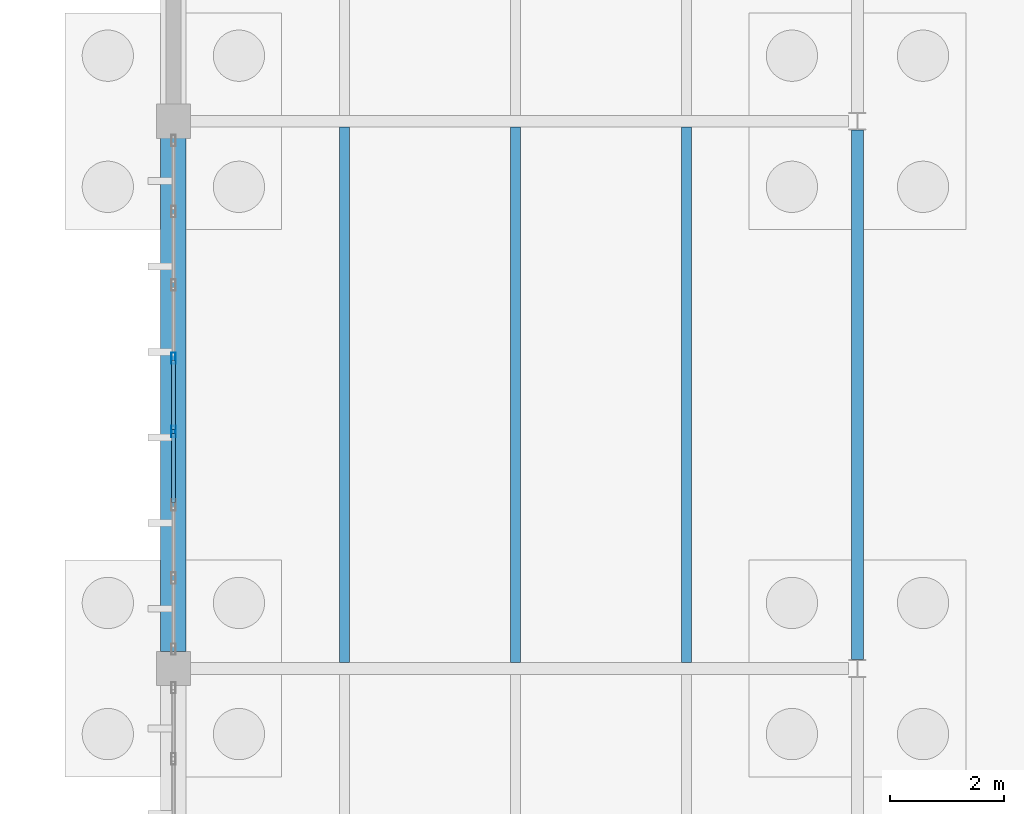
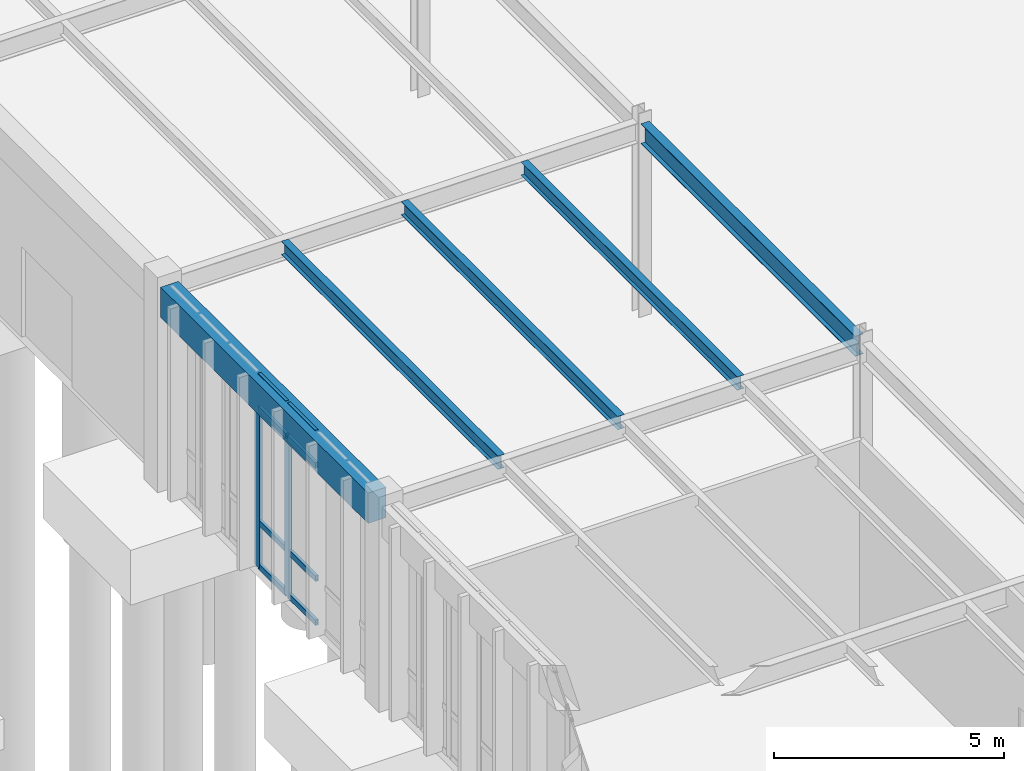
# One storey, part 53 of 188: 10 members, 5 beams, 1 element without a shape of its own.
"""IFC4 building model written with IfcOpenShell, lengths in metres."""

import ifcopenshell
import ifcopenshell.guid

model = None  # the IFC model being written
_history = None  # IfcOwnerHistory: only IFC2X3 demands one
_inside = {}  # id of a spatial element -> (the spatial element, [elements in it])
_under = {}  # id of a project, library or spatial element -> (it, [spatial elements below it])
_declared = {}  # id of a project -> (the project, [libraries it declares])
_typed = {}  # id of a type object -> (the type object, [elements of that type])
_made_of = {}  # id of a material, layer set ... -> (it, [elements and type objects made of it])


def new_model(schema):
    """Start an empty IFC model of exactly this schema.

    Asked for "IFC4X3", IfcOpenShell would pick the latest addendum, in which some entities
    have other attributes; the version numbers below select the first issue.
    IFC2X3 requires an IfcOwnerHistory on every rooted entity: one is made here for all.
    """
    global model, _history
    if schema == "IFC4X3":
        model = ifcopenshell.file(schema_version=(4, 3, 0, 0))
    else:
        model = ifcopenshell.file(schema=schema)
    _inside.clear()
    _under.clear()
    _declared.clear()
    _typed.clear()
    _made_of.clear()
    _history = None
    if model.schema == "IFC2X3":
        org = make("IfcOrganization", Name="unknown")
        user = make(
            "IfcPersonAndOrganization",
            ThePerson=make("IfcPerson", FamilyName="unknown"),
            TheOrganization=org,
        )
        app = make(
            "IfcApplication",
            ApplicationDeveloper=org,
            Version="unknown",
            ApplicationFullName="unknown",
            ApplicationIdentifier="unknown",
        )
        _history = make(
            "IfcOwnerHistory",
            OwningUser=user,
            OwningApplication=app,
            ChangeAction="ADDED",
            CreationDate=0,
        )
    return model


def make(cls, **values):
    """One entity of the class cls with the attributes given. An attribute that is None is left unset."""
    return model.create_entity(
        cls, **{name: value for name, value in values.items() if value is not None}
    )


def rooted(cls, **values):
    """An entity with a GlobalId (a new one), such as an element, a storey or a relation."""
    return make(cls, GlobalId=ifcopenshell.guid.new(), OwnerHistory=_history, **values)


def si_unit(unit_type, name, prefix=None):
    """IfcSIUnit, for example si_unit("LENGTHUNIT", "METRE", prefix="MILLI")."""
    return make("IfcSIUnit", UnitType=unit_type, Prefix=prefix, Name=name)


def assignment(units):
    """IfcUnitAssignment: the units of a project."""
    return None if units is None else make("IfcUnitAssignment", Units=units)


def point(xyz):
    """IfcCartesianPoint."""
    return None if xyz is None else make("IfcCartesianPoint", Coordinates=xyz)


def direction(xyz):
    """IfcDirection."""
    return None if xyz is None else make("IfcDirection", DirectionRatios=xyz)


def frame(location, z_axis=None, x_axis=None):
    """IfcAxis2Placement3D, a coordinate frame: its origin and axes. An axis left out is left unset."""
    return make(
        "IfcAxis2Placement3D",
        Location=point(location),
        Axis=direction(z_axis),
        RefDirection=direction(x_axis),
    )


def frame_2d(location, x_axis=None):
    """IfcAxis2Placement2D, a coordinate frame in the plane: its origin and x axis."""
    return make(
        "IfcAxis2Placement2D", Location=point(location), RefDirection=direction(x_axis)
    )


def origin():
    """The frame at (0, 0, 0) with its axes left unset."""
    return frame((0.0, 0.0, 0.0))


def origin_2d():
    """The frame at (0, 0) in the plane with its x axis left unset."""
    return frame_2d((0.0, 0.0))


def place(relative_to, where):
    """IfcLocalPlacement: puts the frame where relative to a parent placement (None: the world)."""
    return make(
        "IfcLocalPlacement", PlacementRelTo=relative_to, RelativePlacement=where
    )


def context(
    kind, dimensions, precision=None, world=None, true_north=None, identifier=None
):
    """IfcGeometricRepresentationContext, for example the 3D "Model" context."""
    return make(
        "IfcGeometricRepresentationContext",
        ContextIdentifier=identifier,
        ContextType=kind,
        CoordinateSpaceDimension=dimensions,
        Precision=precision,
        WorldCoordinateSystem=world,
        TrueNorth=true_north,
    )


def subcontext(parent, identifier, kind, view, scale=None):
    """IfcGeometricRepresentationSubContext, for example "Body" below "Model"."""
    return make(
        "IfcGeometricRepresentationSubContext",
        ContextIdentifier=identifier,
        ContextType=kind,
        ParentContext=parent,
        TargetScale=scale,
        TargetView=view,
    )


def project(units=None, contexts=None):
    """IfcProject with its units and contexts."""
    return rooted(
        "IfcProject",
        Name="project",
        RepresentationContexts=contexts,
        UnitsInContext=assignment(units),
    )


def spatial(cls, under=None, at=None, **own):
    """A site, building, storey or space (cls), placed at a placement, below another one or the project."""
    s = rooted(cls, ObjectPlacement=at, **own)
    if under is not None:
        _under.setdefault(under.id(), (under, []))[1].append(s)
    return s


def profile(cls, at=None, kind="AREA", **sizes):
    """A parametric profile (cls). Its sizes go by their IFC names, for example OverallWidth=200.0."""
    return make(cls, ProfileType=kind, Position=at, **sizes)


def rectangle(**sizes):
    """IfcRectangleProfileDef."""
    return profile("IfcRectangleProfileDef", **sizes)


def hollow_rectangle(**sizes):
    """IfcRectangleHollowProfileDef."""
    return profile("IfcRectangleHollowProfileDef", **sizes)


def i_section(**sizes):
    """IfcIShapeProfileDef."""
    return profile("IfcIShapeProfileDef", **sizes)


def extrude(swept, where, along, depth):
    """IfcExtrudedAreaSolid: the profile swept, set in the frame where, extruded along a direction by depth."""
    return make(
        "IfcExtrudedAreaSolid",
        SweptArea=swept,
        Position=where,
        ExtrudedDirection=direction(along),
        Depth=depth,
    )


def shape(context_of_items, identifier, shape_type, items):
    """IfcShapeRepresentation: the items that make up one representation, for example the "Body"."""
    return make(
        "IfcShapeRepresentation",
        ContextOfItems=context_of_items,
        RepresentationIdentifier=identifier,
        RepresentationType=shape_type,
        Items=items,
    )


def material(Name=None, Category=None):
    """IfcMaterial."""
    return make("IfcMaterial", Name=Name, Category=Category)


def layer(
    of_material, thickness, ventilated=None, Name=None, Category=None, Priority=None
):
    """IfcMaterialLayer: one layer of a wall or slab, of a material (None: an air gap)."""
    return make(
        "IfcMaterialLayer",
        Material=of_material,
        LayerThickness=thickness,
        IsVentilated=ventilated,
        Name=Name,
        Category=Category,
        Priority=Priority,
    )


def layer_set(layers, Name=None):
    """IfcMaterialLayerSet."""
    return make("IfcMaterialLayerSet", MaterialLayers=layers, LayerSetName=Name)


def material_profile(
    of_material, cross_section, Name=None, Category=None, Priority=None
):
    """IfcMaterialProfile: a cross section and its material."""
    return make(
        "IfcMaterialProfile",
        Name=Name,
        Material=of_material,
        Profile=cross_section,
        Priority=Priority,
        Category=Category,
    )


def profile_set(profiles, Name=None, composite=None):
    """IfcMaterialProfileSet."""
    return make(
        "IfcMaterialProfileSet",
        Name=Name,
        MaterialProfiles=profiles,
        CompositeProfile=composite,
    )


def made_of(thing, what):
    """Note that an element or type object is made of a material, layer set ...; save() writes the relation."""
    if what is not None:
        _made_of.setdefault(what.id(), (what, []))[1].append(thing)
    return thing


def type_object(cls, material=None, **own):
    """A type object (cls), such as IfcWallType, which elements share."""
    return made_of(rooted(cls, **own), material)


def element(
    cls,
    number,
    at=None,
    inside=None,
    cuts=None,
    type_object=None,
    material=None,
    context=None,
    identifier="Body",
    shape_type=None,
    held_by="IfcProductDefinitionShape",
    body=None,
    shapes=None,
    **own,
):
    """One element of the class cls, such as IfcWall. Its Tag is "e" and its number.

    at: its placement. inside: the storey or other place that contains it. cuts: it is an
    opening in that element (IfcRelVoidsElement). A single representation is given by context,
    identifier, shape_type and body (its items); several are given by shapes. held_by: the class
    of the entity that holds the representations. save() writes the other relations.
    """
    e = rooted(cls, Tag="e%d" % number, ObjectPlacement=at, **own)
    if body is not None:
        shapes = [shape(context, identifier, shape_type, body)]
    if shapes is not None:
        e.Representation = make(held_by, Representations=shapes)
    if inside is not None:
        _inside.setdefault(inside.id(), (inside, []))[1].append(e)
    if cuts is not None:
        rooted(
            "IfcRelVoidsElement", RelatingBuildingElement=cuts, RelatedOpeningElement=e
        )
    if type_object is not None:
        _typed.setdefault(type_object.id(), (type_object, []))[1].append(e)
    return made_of(e, material)


def aggregate(whole, parts):
    """IfcRelAggregates: a whole, such as a stair, and the parts it consists of."""
    return rooted("IfcRelAggregates", RelatingObject=whole, RelatedObjects=parts)


def save(model, path):
    """Write the relations noted so far, then the file.

    IfcRelAggregates (storeys below a building ...), IfcRelContainedInSpatialStructure (elements
    in a storey), IfcRelDefinesByType, IfcRelAssociatesMaterial and IfcRelDeclares: one each for
    every whole, place, type object, material and project.
    """
    for whole, parts in _under.values():
        aggregate(whole, parts)
    for where, things in _inside.values():
        rooted(
            "IfcRelContainedInSpatialStructure",
            RelatedElements=things,
            RelatingStructure=where,
        )
    for kind, things in _typed.values():
        rooted("IfcRelDefinesByType", RelatedObjects=things, RelatingType=kind)
    for what, things in _made_of.values():
        rooted("IfcRelAssociatesMaterial", RelatedObjects=things, RelatingMaterial=what)
    for by, libraries in _declared.values():
        rooted("IfcRelDeclares", RelatingContext=by, RelatedDefinitions=libraries)
    model.write(path)


model = new_model("IFC4")

# Units and contexts
model_context = context("Model", 3, precision=1e-05, world=origin(), true_north=direction((0.0, 1.0)))
body_context = subcontext(model_context, "Body", "Model", "MODEL_VIEW")
ifc_project = project(units=[si_unit("LENGTHUNIT", "METRE"), si_unit("AREAUNIT", "SQUARE_METRE"), si_unit("VOLUMEUNIT", "CUBIC_METRE"), si_unit("PLANEANGLEUNIT", "RADIAN"), si_unit("MASSUNIT", "GRAM", prefix="KILO")], contexts=[model_context])

# Site, building, storey
site_placement = place(None, origin())
site = spatial("IfcSite", under=ifc_project, at=site_placement, CompositionType="ELEMENT")
building_placement = place(site_placement, origin())
building = spatial("IfcBuilding", under=site, at=building_placement, Name="Pandanus Reach Market Hall", CompositionType="ELEMENT")
storey_placement = place(building_placement, origin())
storey = spatial("IfcBuildingStorey", under=building, at=storey_placement, Name="L00", CompositionType="ELEMENT", Elevation=0.0)

# Beams
ifc_material_1 = material(Name="Concrete N40 (40 MPa)", Category="concrete")
ifc_material_profile_1 = material_profile(ifc_material_1, rectangle(XDim=0.449951171875, YDim=0.800048828125, at=origin_2d()), Name="RC450x800", Category="LoadBearing")
ifc_profile_set_1 = profile_set([ifc_material_profile_1], Name="Concrete N40 (40 MPa)")
beam_type_1 = type_object("IfcBeamType", Name="BM-RC450-E", PredefinedType="SPANDREL", material=ifc_profile_set_1)
beam_1_placement = place(storey_placement, frame((48.0, 57.89794921875, 4.719970703125), z_axis=(0.0, 1.0, 0.0), x_axis=(-1.0, 0.0, 0.0)))
element("IfcBeam", 1, at=beam_1_placement, inside=storey, type_object=beam_type_1, Name="Framing beam BM-RC450-E L00.1095", PredefinedType="SPANDREL", context=body_context, shape_type="SweptSolid", body=[
    extrude(rectangle(XDim=0.449951171875, YDim=0.800048828125, at=origin_2d()), origin(), (0.0, 0.0, 1.0), 9.004150390625),
])
ifc_material_2 = material(Name="Steel Grade 350 (350 MPa)", Category="steel")
ifc_material_profile_2 = material_profile(ifc_material_2, i_section(OverallWidth=0.208984375, OverallDepth=0.532958984375, WebThickness=0.01025390625, FlangeThickness=0.015625, at=origin_2d()), Name="530UB92.4", Category="LoadBearing")
ifc_profile_set_2 = profile_set([ifc_material_profile_2], Name="Steel Grade 350 (350 MPa)")
beam_type_2 = type_object("IfcBeamType", Name="BM-UB530-I", PredefinedType="BEAM", material=ifc_profile_set_2)
beam_2_placement = place(storey_placement, frame((60.0, 57.755615234375, 4.85302734375), z_axis=(0.0, 1.0, 0.0), x_axis=(-1.0, 0.0, 0.0)))
element("IfcBeam", 2, at=beam_2_placement, inside=storey, type_object=beam_type_2, Name="Framing beam BM-UB530-I L00.1096", PredefinedType="BEAM", context=body_context, shape_type="SweptSolid", body=[
    extrude(i_section(OverallWidth=0.208984375, OverallDepth=0.532958984375, WebThickness=0.01025390625, FlangeThickness=0.015625, at=origin_2d()), origin(), (0.0, 0.0, 1.0), 9.288818359375),
])

# Curtain wall, members
ifc_material_3 = material(Name="Bronze anodised aluminium and low-E glass", Category="aluminium")
ifc_layer = layer(ifc_material_3, 0.199951171875, Name="CW-06")
ifc_layer_set = layer_set([ifc_layer], Name="Bronze anodised aluminium and low-E glass")
curtain_wall_type = type_object("IfcCurtainWallType", Name="CW-06", PredefinedType="NOTDEFINED", material=ifc_layer_set)
curtain_wall_placement = place(storey_placement, origin())
curtain_wall = element("IfcCurtainWall", 3, at=curtain_wall_placement, inside=storey, type_object=curtain_wall_type, Name="Glazed curtain wall CW-06 CW-0028", PredefinedType="NOTDEFINED")
ifc_material_4 = material(Name="Bronze anodised aluminium", Category="aluminium")
ifc_material_profile_3 = material_profile(ifc_material_4, hollow_rectangle(XDim=0.074951171875, YDim=0.199951171875, WallThickness=0.00439453125, at=origin_2d()), Name="ALU75x200", Category="LoadBearing")
ifc_profile_set_3 = profile_set([ifc_material_profile_3], Name="Bronze anodised aluminium")
member_type_1 = type_object("IfcMemberType", Name="CW-M2", PredefinedType="MULLION", material=ifc_profile_set_3)
member_1_placement = place(storey_placement, frame((48.0, 61.757080078125, 0.0), z_axis=(0.0, 0.0, 1.0), x_axis=(-1.0, 0.0, 0.0)))
member_1 = element("IfcMember", 4, at=member_1_placement, type_object=member_type_1, Name="CW-06 mullion 4", PredefinedType="MULLION", context=body_context, shape_type="SweptSolid", body=[
    extrude(hollow_rectangle(XDim=0.074951171875, YDim=0.199951171875, WallThickness=0.00439453125, at=origin_2d()), origin(), (0.0, 0.0, 1.0), 5.10009765625),
])
member_2_placement = place(storey_placement, frame((48.0, 63.04296875, 0.0), z_axis=(0.0, 0.0, 1.0), x_axis=(-1.0, 0.0, 0.0)))
member_2 = element("IfcMember", 5, at=member_2_placement, type_object=member_type_1, Name="CW-06 mullion 5", PredefinedType="MULLION", context=body_context, shape_type="SweptSolid", body=[
    extrude(hollow_rectangle(XDim=0.074951171875, YDim=0.199951171875, WallThickness=0.00439453125, at=origin_2d()), origin(), (0.0, 0.0, 1.0), 5.10009765625),
])
ifc_material_profile_4 = material_profile(ifc_material_4, hollow_rectangle(XDim=0.074951171875, YDim=0.14990234375, WallThickness=0.00439453125, at=origin_2d()), Name="ALU75x150", Category="LoadBearing")
ifc_profile_set_4 = profile_set([ifc_material_profile_4], Name="Bronze anodised aluminium")
member_type_2 = type_object("IfcMemberType", Name="CW-T2", PredefinedType="USERDEFINED", material=ifc_profile_set_4)
member_3_placement = place(storey_placement, frame((48.0, 60.509033203125, 0.03759765625), z_axis=(0.0, 1.0, 0.0), x_axis=(-1.0, 0.0, 0.0)))
member_3 = element("IfcMember", 6, at=member_3_placement, type_object=member_type_2, Name="CW-06 transom 3.1", ObjectType="TRANSOM", PredefinedType="USERDEFINED", context=body_context, shape_type="SweptSolid", body=[
    extrude(hollow_rectangle(XDim=0.074951171875, YDim=0.14990234375, WallThickness=0.00439453125, at=origin_2d()), origin(), (0.0, 0.0, 1.0), 1.210693359375),
])
member_4_placement = place(storey_placement, frame((48.0, 60.509033203125, 1.199951171875), z_axis=(0.0, 1.0, 0.0), x_axis=(-1.0, 0.0, 0.0)))
member_4 = element("IfcMember", 7, at=member_4_placement, type_object=member_type_2, Name="CW-06 transom 3.2", ObjectType="TRANSOM", PredefinedType="USERDEFINED", context=body_context, shape_type="SweptSolid", body=[
    extrude(hollow_rectangle(XDim=0.074951171875, YDim=0.14990234375, WallThickness=0.00439453125, at=origin_2d()), origin(), (0.0, 0.0, 1.0), 1.210693359375),
])
member_5_placement = place(storey_placement, frame((48.0, 60.509033203125, 4.199951171875), z_axis=(0.0, 1.0, 0.0), x_axis=(-1.0, 0.0, 0.0)))
member_5 = element("IfcMember", 8, at=member_5_placement, type_object=member_type_2, Name="CW-06 transom 3.3", ObjectType="TRANSOM", PredefinedType="USERDEFINED", context=body_context, shape_type="SweptSolid", body=[
    extrude(hollow_rectangle(XDim=0.074951171875, YDim=0.14990234375, WallThickness=0.00439453125, at=origin_2d()), origin(), (0.0, 0.0, 1.0), 1.210693359375),
])
member_6_placement = place(storey_placement, frame((48.0, 60.509033203125, 5.0625), z_axis=(0.0, 1.0, 0.0), x_axis=(-1.0, 0.0, 0.0)))
member_6 = element("IfcMember", 9, at=member_6_placement, type_object=member_type_2, Name="CW-06 transom 3.4", ObjectType="TRANSOM", PredefinedType="USERDEFINED", context=body_context, shape_type="SweptSolid", body=[
    extrude(hollow_rectangle(XDim=0.074951171875, YDim=0.14990234375, WallThickness=0.00439453125, at=origin_2d()), origin(), (0.0, 0.0, 1.0), 1.210693359375),
])
member_7_placement = place(storey_placement, frame((48.0, 61.794677734375, 0.03759765625), z_axis=(0.0, 1.0, 0.0), x_axis=(-1.0, 0.0, 0.0)))
member_7 = element("IfcMember", 10, at=member_7_placement, type_object=member_type_2, Name="CW-06 transom 4.1", ObjectType="TRANSOM", PredefinedType="USERDEFINED", context=body_context, shape_type="SweptSolid", body=[
    extrude(hollow_rectangle(XDim=0.074951171875, YDim=0.14990234375, WallThickness=0.00439453125, at=origin_2d()), origin(), (0.0, 0.0, 1.0), 1.210693359375),
])
member_8_placement = place(storey_placement, frame((48.0, 61.794677734375, 1.199951171875), z_axis=(0.0, 1.0, 0.0), x_axis=(-1.0, 0.0, 0.0)))
member_8 = element("IfcMember", 11, at=member_8_placement, type_object=member_type_2, Name="CW-06 transom 4.2", ObjectType="TRANSOM", PredefinedType="USERDEFINED", context=body_context, shape_type="SweptSolid", body=[
    extrude(hollow_rectangle(XDim=0.074951171875, YDim=0.14990234375, WallThickness=0.00439453125, at=origin_2d()), origin(), (0.0, 0.0, 1.0), 1.210693359375),
])
member_9_placement = place(storey_placement, frame((48.0, 61.794677734375, 4.199951171875), z_axis=(0.0, 1.0, 0.0), x_axis=(-1.0, 0.0, 0.0)))
member_9 = element("IfcMember", 12, at=member_9_placement, type_object=member_type_2, Name="CW-06 transom 4.3", ObjectType="TRANSOM", PredefinedType="USERDEFINED", context=body_context, shape_type="SweptSolid", body=[
    extrude(hollow_rectangle(XDim=0.074951171875, YDim=0.14990234375, WallThickness=0.00439453125, at=origin_2d()), origin(), (0.0, 0.0, 1.0), 1.210693359375),
])
member_10_placement = place(storey_placement, frame((48.0, 61.794677734375, 5.0625), z_axis=(0.0, 1.0, 0.0), x_axis=(-1.0, 0.0, 0.0)))
member_10 = element("IfcMember", 13, at=member_10_placement, type_object=member_type_2, Name="CW-06 transom 4.4", ObjectType="TRANSOM", PredefinedType="USERDEFINED", context=body_context, shape_type="SweptSolid", body=[
    extrude(hollow_rectangle(XDim=0.074951171875, YDim=0.14990234375, WallThickness=0.00439453125, at=origin_2d()), origin(), (0.0, 0.0, 1.0), 1.210693359375),
])
aggregate(curtain_wall, [member_1, member_2, member_3, member_4, member_5, member_6, member_7, member_8, member_9, member_10])

# Beams
ifc_material_profile_5 = material_profile(ifc_material_2, i_section(OverallWidth=0.1708984375, OverallDepth=0.35595703125, WebThickness=0.00732421875, FlangeThickness=0.011474609375, at=origin_2d()), Name="360UB50.7", Category="LoadBearing")
ifc_profile_set_5 = profile_set([ifc_material_profile_5], Name="Steel Grade 350 (350 MPa)")
beam_type_3 = type_object("IfcBeamType", Name="JS-UB360-I", PredefinedType="JOIST", material=ifc_profile_set_5)
for number, where, z_axis, x_axis, name in (
    (14, (51.0, 57.702392578125, 4.941650390625), (0.0, 1.0, 0.0), (-1.0, 0.0, 0.0), "Secondary joist JS-UB360-I L00.1097"),
    (15, (54.0, 57.702392578125, 4.941650390625), (0.0, 1.0, 0.0), (-1.0, 0.0, 0.0), "Secondary joist JS-UB360-I L00.1098"),
    (16, (57.0, 57.702392578125, 4.941650390625), (0.0, 1.0, 0.0), (-1.0, 0.0, 0.0), "Secondary joist JS-UB360-I L00.1099"),
):
    element("IfcBeam", number, at=place(storey_placement, frame(where, z_axis=z_axis, x_axis=x_axis)), inside=storey, type_object=beam_type_3, Name=name, PredefinedType="JOIST", context=body_context, shape_type="SweptSolid", body=[
        extrude(i_section(OverallWidth=0.1708984375, OverallDepth=0.35595703125, WebThickness=0.00732421875, FlangeThickness=0.011474609375, at=origin_2d()), origin(), (0.0, 0.0, 1.0), 9.39501953125),
    ])

save(model, "model.ifc")
